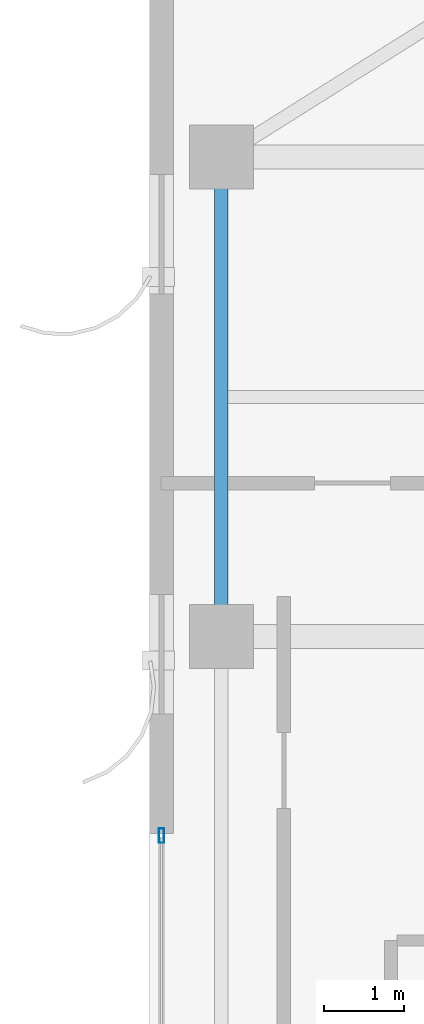
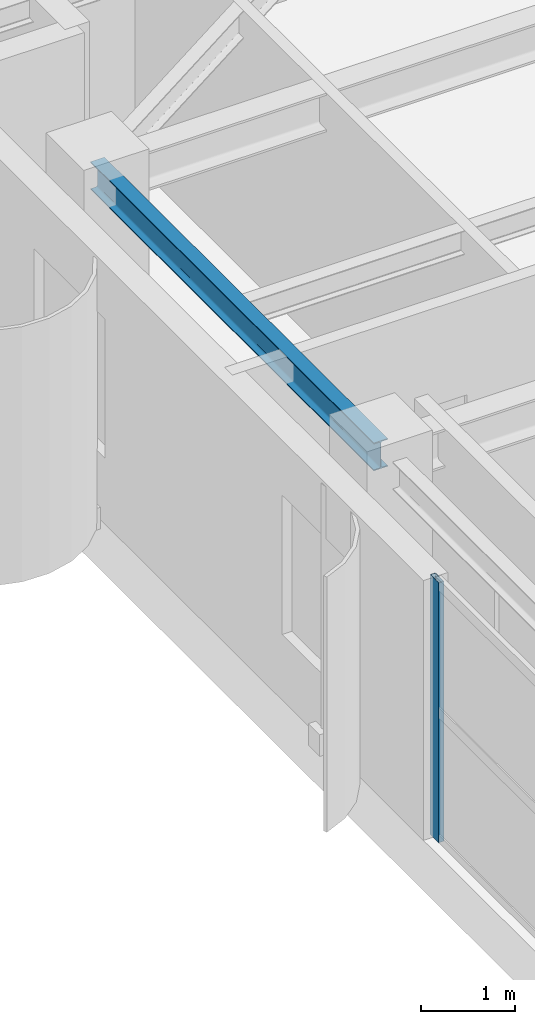
# One storey, part 8 of 24: 1 beam, 1 member, 1 element without a shape of its own.
"""IFC4 building model written with IfcOpenShell, lengths in metres."""

from ifc_helpers import new_model, si_unit, direction, frame, origin, origin_2d, place, context, subcontext, project, spatial, hollow_rectangle, i_section, extrude, source, transform, mapped, material, layer, layer_set, material_profile, profile_set, type_object, element, aggregate, save


model = new_model("IFC4")

# Units and contexts
model_context = context("Model", 3, precision=1e-05, world=origin(), true_north=direction((0.0, 1.0)))
body_context = subcontext(model_context, "Body", "Model", "MODEL_VIEW")
ifc_project = project(units=[si_unit("LENGTHUNIT", "METRE"), si_unit("AREAUNIT", "SQUARE_METRE"), si_unit("VOLUMEUNIT", "CUBIC_METRE"), si_unit("PLANEANGLEUNIT", "RADIAN"), si_unit("MASSUNIT", "GRAM", prefix="KILO")], contexts=[model_context])

# Site, building, storey
site_placement = place(None, origin())
site = spatial("IfcSite", under=ifc_project, at=site_placement, CompositionType="ELEMENT")
building_placement = place(site_placement, origin())
building = spatial("IfcBuilding", under=site, at=building_placement, Name="Khoralis Quay Care Tower", CompositionType="ELEMENT")
storey_placement = place(building_placement, frame((0.0, 0.0, 227.699951171875)))
storey = spatial("IfcBuildingStorey", under=building, at=storey_placement, Name="L59", CompositionType="ELEMENT", Elevation=227.699951171875)

# Beam
ifc_material_1 = material(Name="Steel S355", Category="steel")
ifc_material_profile_1 = material_profile(ifc_material_1, i_section(OverallWidth=0.169921875, OverallDepth=0.360107421875, WebThickness=0.008056640625, FlangeThickness=0.0126953125, FilletRadius=0.01806640625, at=origin_2d()), Name="Steel S355")
ifc_profile_set_1 = profile_set([ifc_material_profile_1], Name="Steel S355")
beam_type = type_object("IfcBeamType", Name="BM-IPE360", PredefinedType="SPANDREL", material=ifc_profile_set_1)
shared_shape_1 = source(origin(), body_context, "Body", "SweptSolid", [
    extrude(i_section(OverallWidth=0.169921875, OverallDepth=0.360107421875, WebThickness=0.008056640625, FlangeThickness=0.0126953125, FilletRadius=0.01806640625, at=origin_2d()), origin(), (0.0, 0.0, 1.0), 6.0),
])
beam_placement = place(storey_placement, frame((3.89990234375, 30.0, 3.179931640625), z_axis=(0.0, 1.0, 0.0), x_axis=(-1.0, 0.0, 0.0)))
element("IfcBeam", 1, at=beam_placement, inside=storey, type_object=beam_type, Name="BM-TSP-L59-08", PredefinedType="SPANDREL", context=body_context, shape_type="MappedRepresentation", body=[
    mapped(shared_shape_1, transform((0.0, 0.0, 0.0), scale=1.0)),
])

# Curtain wall, member
ifc_material_2 = material(Name="Pale anodised aluminium", Category="aluminium")
ifc_layer = layer(ifc_material_2, 0.159912109375)
ifc_layer_set = layer_set([ifc_layer], Name="Pale anodised aluminium")
curtain_wall_type = type_object("IfcCurtainWallType", Name="CW-SYS-Z3", PredefinedType="NOTDEFINED", material=ifc_layer_set)
curtain_wall_placement = place(storey_placement, origin())
curtain_wall = element("IfcCurtainWall", 2, at=curtain_wall_placement, inside=storey, type_object=curtain_wall_type, Name="L59 Unitised Curtain Wall CW-L59-P1-E7", PredefinedType="NOTDEFINED")
ifc_material_profile_2 = material_profile(ifc_material_2, hollow_rectangle(XDim=0.06494140625, YDim=0.179931640625, WallThickness=0.00390625, at=origin_2d()), Name="Pale anodised aluminium")
ifc_profile_set_2 = profile_set([ifc_material_profile_2], Name="Pale anodised aluminium")
member_type = type_object("IfcMemberType", Name="CW-MUL-180", PredefinedType="MULLION", material=ifc_profile_set_2)
shared_shape_2 = source(origin(), body_context, "Body", "SweptSolid", [
    extrude(hollow_rectangle(XDim=0.06494140625, YDim=0.179931640625, WallThickness=0.00390625, at=origin_2d()), origin(), (0.0, 0.0, 1.0), 3.360107421875),
])
member_placement = place(storey_placement, frame((3.14990234375, 27.510009765625, 0.0), z_axis=(0.0, 0.0, 1.0), x_axis=(1.0, 0.0, 0.0)))
member = element("IfcMember", 3, at=member_placement, type_object=member_type, Name="CW3 mullion 1", PredefinedType="MULLION", context=body_context, shape_type="MappedRepresentation", body=[
    mapped(shared_shape_2, transform((0.0, 0.0, 0.0), scale=1.0)),
])
aggregate(curtain_wall, [member])

save(model, "model.ifc")
